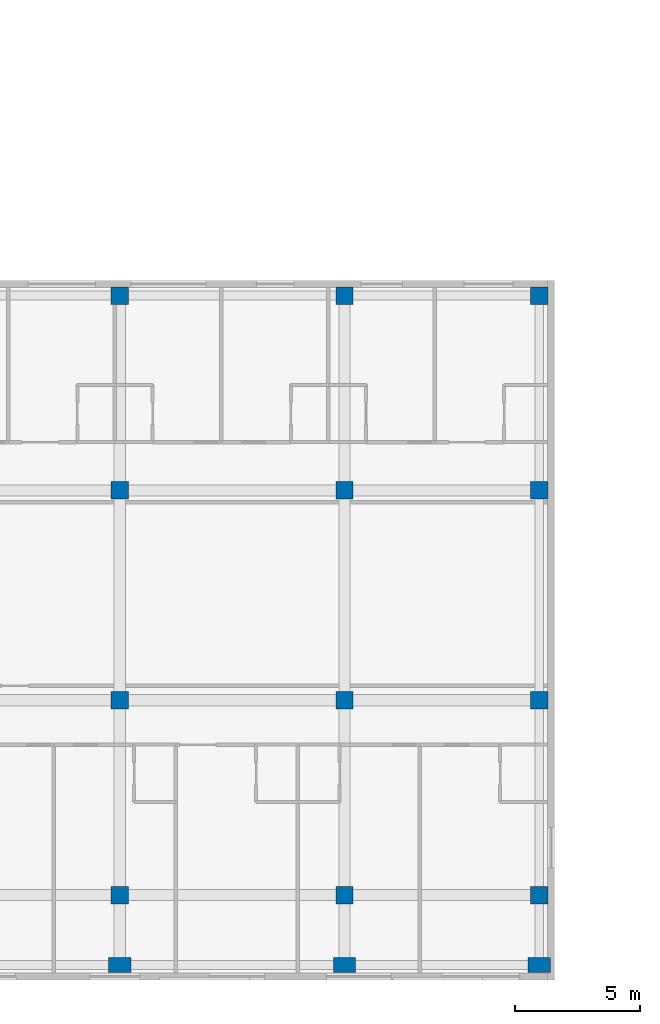
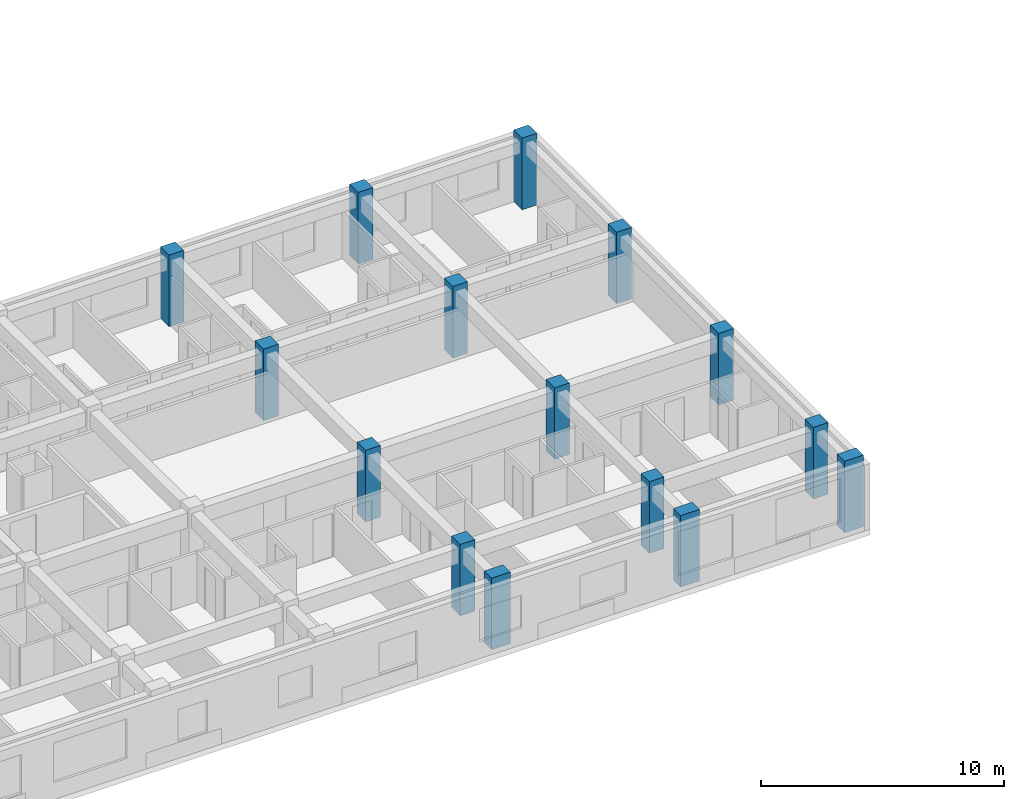
# One storey, part 4 of 144: 15 columns.
"""IFC4 building model written with IfcOpenShell, lengths in metres."""

from ifc_helpers import new_model, si_unit, direction, frame, origin, origin_2d, place, context, subcontext, project, spatial, rectangle, extrude, material, material_profile, profile_set, type_object, element, save


model = new_model("IFC4")

# Units and contexts
model_context = context("Model", 3, precision=1e-05, world=origin(), true_north=direction((0.0, 1.0)))
body_context = subcontext(model_context, "Body", "Model", "MODEL_VIEW")
ifc_project = project(units=[si_unit("LENGTHUNIT", "METRE"), si_unit("AREAUNIT", "SQUARE_METRE"), si_unit("VOLUMEUNIT", "CUBIC_METRE"), si_unit("PLANEANGLEUNIT", "RADIAN"), si_unit("MASSUNIT", "GRAM", prefix="KILO")], contexts=[model_context])

# Site, building, storey
site_placement = place(None, origin())
site = spatial("IfcSite", under=ifc_project, at=site_placement, CompositionType="ELEMENT")
building_placement = place(site_placement, origin())
building = spatial("IfcBuilding", under=site, at=building_placement, Name="Zayran Congress Hotel", CompositionType="ELEMENT")
storey_placement = place(building_placement, frame((0.0, 0.0, 19.199951171875)))
storey = spatial("IfcBuildingStorey", under=building, at=storey_placement, Name="L04", CompositionType="ELEMENT", Elevation=19.199951171875)

# Columns
ifc_material = material(Name="Concrete C40/50", Category="concrete")
ifc_material_profile_1 = material_profile(ifc_material, rectangle(XDim=0.699951171875, YDim=0.699951171875, at=origin_2d()), Name="RC 700x700")
ifc_profile_set_1 = profile_set([ifc_material_profile_1], Name="Concrete C40/50")
column_type_1 = type_object("IfcColumnType", Name="TP-CL-03", PredefinedType="COLUMN", material=ifc_profile_set_1)
for number, where, z_axis, x_axis, name in (
    (1, (75.0, 9.39990234375, 0.0), (0.0, 0.0, 1.0), (1.0, 0.0, 0.0), "COL-V5-L04-1138"),
    (2, (75.0, 17.199951171875, 0.0), (0.0, 0.0, 1.0), (1.0, 0.0, 0.0), "COL-V5-L04-1139"),
    (3, (75.0, 25.60009765625, 0.0), (0.0, 0.0, 1.0), (1.0, 0.0, 0.0), "COL-V5-L04-1140"),
    (4, (75.0, 33.39990234375, 0.0), (0.0, 0.0, 1.0), (1.0, 0.0, 0.0), "COL-V5-L04-1141"),
    (5, (84.0, 9.39990234375, 0.0), (0.0, 0.0, 1.0), (1.0, 0.0, 0.0), "COL-V5-L04-1143"),
    (6, (84.0, 17.199951171875, 0.0), (0.0, 0.0, 1.0), (1.0, 0.0, 0.0), "COL-V5-L04-1144"),
    (7, (84.0, 25.60009765625, 0.0), (0.0, 0.0, 1.0), (1.0, 0.0, 0.0), "COL-V5-L04-1145"),
    (8, (84.0, 33.39990234375, 0.0), (0.0, 0.0, 1.0), (1.0, 0.0, 0.0), "COL-V5-L04-1146"),
    (9, (91.800048828125, 9.39990234375, 0.0), (0.0, 0.0, 1.0), (1.0, 0.0, 0.0), "COL-V5-L04-1148"),
    (10, (91.800048828125, 17.199951171875, 0.0), (0.0, 0.0, 1.0), (1.0, 0.0, 0.0), "COL-V5-L04-1149"),
    (11, (91.800048828125, 25.60009765625, 0.0), (0.0, 0.0, 1.0), (1.0, 0.0, 0.0), "COL-V5-L04-1150"),
    (12, (91.800048828125, 33.39990234375, 0.0), (0.0, 0.0, 1.0), (1.0, 0.0, 0.0), "COL-V5-L04-1151"),
):
    element("IfcColumn", number, at=place(storey_placement, frame(where, z_axis=z_axis, x_axis=x_axis)), inside=storey, type_object=column_type_1, Name=name, PredefinedType="COLUMN", context=body_context, shape_type="SweptSolid", body=[
        extrude(rectangle(XDim=0.699951171875, YDim=0.699951171875, at=origin_2d()), origin(), (0.0, 0.0, 1.0), 3.60009765625),
    ])
ifc_material_profile_2 = material_profile(ifc_material, rectangle(XDim=0.60009765625, YDim=0.89990234375, at=origin_2d()), Name="RC 900x600")
ifc_profile_set_2 = profile_set([ifc_material_profile_2], Name="Concrete C40/50")
column_type_2 = type_object("IfcColumnType", Name="TP-CL-05", PredefinedType="COLUMN", material=ifc_profile_set_2)
for number, where, z_axis, x_axis, name in (
    (13, (75.0, 6.60009765625, 0.0), (0.0, 0.0, 1.0), (0.0, 1.0, 0.0), "COL-V5-L04-1137"),
    (14, (84.0, 6.60009765625, 0.0), (0.0, 0.0, 1.0), (0.0, 1.0, 0.0), "COL-V5-L04-1142"),
    (15, (91.800048828125, 6.60009765625, 0.0), (0.0, 0.0, 1.0), (0.0, 1.0, 0.0), "COL-V5-L04-1147"),
):
    element("IfcColumn", number, at=place(storey_placement, frame(where, z_axis=z_axis, x_axis=x_axis)), inside=storey, type_object=column_type_2, Name=name, PredefinedType="COLUMN", context=body_context, shape_type="SweptSolid", body=[
        extrude(rectangle(XDim=0.60009765625, YDim=0.89990234375, at=origin_2d()), origin(), (0.0, 0.0, 1.0), 3.60009765625),
    ])

save(model, "model.ifc")
